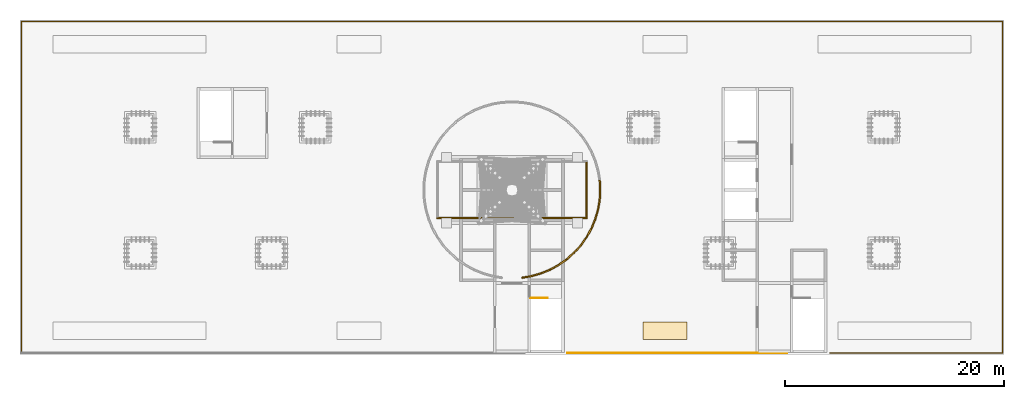
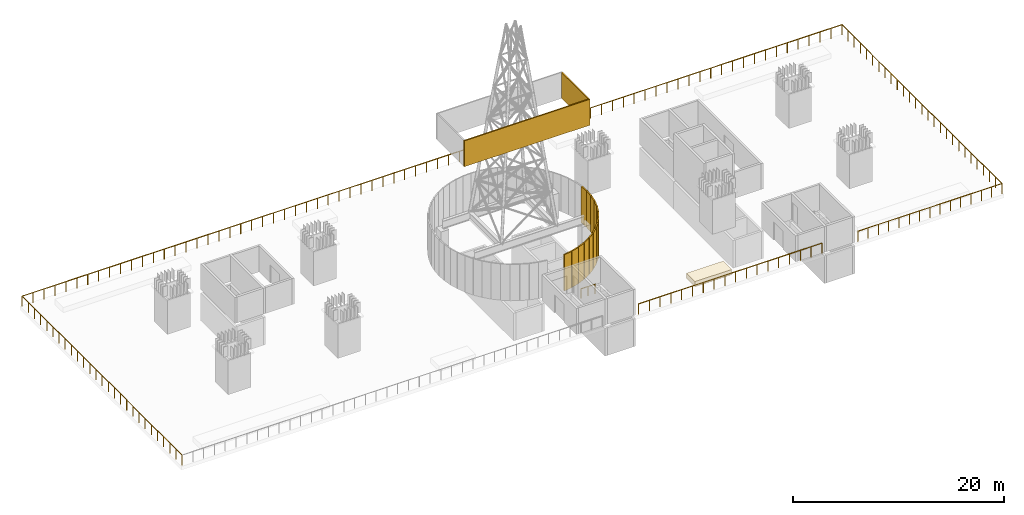
# One storey, part 7 of 8: 17 coverings, 3 railings.
"""IFC4 building model written with IfcOpenShell, lengths in metres."""

from ifc_helpers import new_model, si_unit, direction, frame, origin, origin_2d, place, context, subcontext, project, spatial, rectangle, circle, extrude, material, layer, layer_set, type_object, element, save


model = new_model("IFC4")

# Units and contexts
model_context = context("Model", 3, precision=1e-05, world=origin(), true_north=direction((0.0, 1.0)))
body_context = subcontext(model_context, "Body", "Model", "MODEL_VIEW")
ifc_project = project(units=[si_unit("LENGTHUNIT", "METRE"), si_unit("AREAUNIT", "SQUARE_METRE"), si_unit("VOLUMEUNIT", "CUBIC_METRE"), si_unit("PLANEANGLEUNIT", "RADIAN"), si_unit("MASSUNIT", "GRAM", prefix="KILO")], contexts=[model_context])

# Site, building, storey
site_placement = place(None, origin())
site = spatial("IfcSite", under=ifc_project, at=site_placement, CompositionType="ELEMENT")
building_placement = place(site_placement, origin())
building = spatial("IfcBuilding", under=site, at=building_placement, Name="Mahtab Terrace Research Tower", CompositionType="ELEMENT")
storey_placement = place(building_placement, frame((0.0, 0.0, 289.699951171875)))
storey = spatial("IfcBuildingStorey", under=building, at=storey_placement, Name="L70", CompositionType="ELEMENT", Elevation=289.699951171875)

# Coverings
ifc_material_1 = material(Name="Natural anodised aluminium", Category="aluminium")
covering_type_1 = type_object("IfcCoveringType", Name="Plant storey louvre bay", PredefinedType="CLADDING", material=ifc_material_1)
covering_1_placement = place(storey_placement, frame((0.0, 3.193115234375, 13.800048828125), z_axis=(0.0, 0.0, 1.0), x_axis=(1.0, 0.0, 0.0)))
element("IfcCovering", 1, at=covering_1_placement, inside=storey, type_object=covering_type_1, Name="Finial lantern louvre S", PredefinedType="CLADDING", context=body_context, shape_type="SweptSolid", body=[
    extrude(rectangle(XDim=13.76806640625, YDim=0.139892578125, at=origin_2d()), origin(), (0.0, 0.0, 1.0), 3.0),
])
covering_2_placement = place(storey_placement, frame((6.81396484375, 5.785888671875, 13.800048828125), z_axis=(0.0, 0.0, 1.0), x_axis=(1.0, 0.0, 0.0)))
element("IfcCovering", 2, at=covering_2_placement, inside=storey, type_object=covering_type_1, Name="Finial lantern louvre E", PredefinedType="CLADDING", context=body_context, shape_type="SweptSolid", body=[
    extrude(rectangle(XDim=0.139892578125, YDim=5.0458984375, at=origin_2d()), origin(), (0.0, 0.0, 1.0), 3.0),
])
covering_3_placement = place(storey_placement, frame((1.349853515625, -2.193603515625, 0.0), z_axis=(0.0, 0.0, 1.0), x_axis=(0.985722886778, 0.168375741964, 0.0)))
element("IfcCovering", 3, at=covering_3_placement, inside=storey, type_object=covering_type_1, Name="Plant drum louvre 43", PredefinedType="CLADDING", context=body_context, shape_type="SweptSolid", body=[
    extrude(rectangle(XDim=0.896728515625, YDim=0.139892578125, at=origin_2d()), origin(), (0.0, 0.0, 1.0), 4.199951171875),
])
covering_4_placement = place(storey_placement, frame((2.23046875, -1.9921875, 0.0), z_axis=(0.0, 0.0, 1.0), x_axis=(0.961017477545, 0.276487626945, 0.0)))
element("IfcCovering", 4, at=covering_4_placement, inside=storey, type_object=covering_type_1, Name="Plant drum louvre 44", PredefinedType="CLADDING", context=body_context, shape_type="SweptSolid", body=[
    extrude(rectangle(XDim=0.89697265625, YDim=0.139892578125, at=origin_2d()), origin(), (0.0, 0.0, 1.0), 4.199951171875),
])
covering_5_placement = place(storey_placement, frame((3.083251953125, -1.694091796875, 0.0), z_axis=(0.0, 0.0, 1.0), x_axis=(0.92403041112, 0.38231897589, 0.0)))
element("IfcCovering", 5, at=covering_5_placement, inside=storey, type_object=covering_type_1, Name="Plant drum louvre 45", PredefinedType="CLADDING", context=body_context, shape_type="SweptSolid", body=[
    extrude(rectangle(XDim=0.897216796875, YDim=0.139892578125, at=origin_2d()), origin(), (0.0, 0.0, 1.0), 4.199951171875),
])
covering_6_placement = place(storey_placement, frame((3.8974609375, -1.30224609375, 0.0), z_axis=(0.0, 0.0, 1.0), x_axis=(0.875154581007, 0.483843424408, 0.0)))
element("IfcCovering", 6, at=covering_6_placement, inside=storey, type_object=covering_type_1, Name="Plant drum louvre 46", PredefinedType="CLADDING", context=body_context, shape_type="SweptSolid", body=[
    extrude(rectangle(XDim=0.89697265625, YDim=0.139892578125, at=origin_2d()), origin(), (0.0, 0.0, 1.0), 4.199951171875),
])
for number, where, z_axis, x_axis, name in (
    (7, (4.66259765625, -0.821533203125, 0.0), (0.0, 0.0, 1.0), (0.815761572022, 0.578388327694, 0.0), "Plant drum louvre 47"),
    (8, (5.369140625, -0.25830078125, 0.0), (0.0, 0.0, 1.0), (0.74556184383, 0.66643644635, 0.0), "Plant drum louvre 48"),
    (9, (6.00830078125, 0.380859375, 0.0), (0.0, 0.0, 1.0), (0.66643644635, 0.74556184383, 0.0), "Plant drum louvre 49"),
    (10, (6.571533203125, 1.08740234375, 0.0), (0.0, 0.0, 1.0), (0.578388327694, 0.815761572022, 0.0), "Plant drum louvre 50"),
):
    element("IfcCovering", number, at=place(storey_placement, frame(where, z_axis=z_axis, x_axis=x_axis)), inside=storey, type_object=covering_type_1, Name=name, PredefinedType="CLADDING", context=body_context, shape_type="SweptSolid", body=[
        extrude(rectangle(XDim=0.897216796875, YDim=0.139892578125, at=origin_2d()), origin(), (0.0, 0.0, 1.0), 4.199951171875),
    ])
covering_7_placement = place(storey_placement, frame((7.05224609375, 1.8525390625, 0.0), z_axis=(0.0, 0.0, 1.0), x_axis=(0.483843424408, 0.875154581007, 0.0)))
element("IfcCovering", 11, at=covering_7_placement, inside=storey, type_object=covering_type_1, Name="Plant drum louvre 51", PredefinedType="CLADDING", context=body_context, shape_type="SweptSolid", body=[
    extrude(rectangle(XDim=0.89697265625, YDim=0.139892578125, at=origin_2d()), origin(), (0.0, 0.0, 1.0), 4.199951171875),
])
covering_8_placement = place(storey_placement, frame((7.444091796875, 2.666748046875, 0.0), z_axis=(0.0, 0.0, 1.0), x_axis=(0.38231897589, 0.92403041112, 0.0)))
element("IfcCovering", 12, at=covering_8_placement, inside=storey, type_object=covering_type_1, Name="Plant drum louvre 52", PredefinedType="CLADDING", context=body_context, shape_type="SweptSolid", body=[
    extrude(rectangle(XDim=0.897216796875, YDim=0.139892578125, at=origin_2d()), origin(), (0.0, 0.0, 1.0), 4.199951171875),
])
covering_9_placement = place(storey_placement, frame((7.7421875, 3.51953125, 0.0), z_axis=(0.0, 0.0, 1.0), x_axis=(0.276487626945, 0.961017477545, 0.0)))
element("IfcCovering", 13, at=covering_9_placement, inside=storey, type_object=covering_type_1, Name="Plant drum louvre 53", PredefinedType="CLADDING", context=body_context, shape_type="SweptSolid", body=[
    extrude(rectangle(XDim=0.89697265625, YDim=0.139892578125, at=origin_2d()), origin(), (0.0, 0.0, 1.0), 4.199951171875),
])
covering_10_placement = place(storey_placement, frame((7.943603515625, 4.400146484375, 0.0), z_axis=(0.0, 0.0, 1.0), x_axis=(0.168375741964, 0.985722886778, 0.0)))
element("IfcCovering", 14, at=covering_10_placement, inside=storey, type_object=covering_type_1, Name="Plant drum louvre 54", PredefinedType="CLADDING", context=body_context, shape_type="SweptSolid", body=[
    extrude(rectangle(XDim=0.896728515625, YDim=0.139892578125, at=origin_2d()), origin(), (0.0, 0.0, 1.0), 4.199951171875),
])
for number, where, z_axis, x_axis, name in (
    (15, (8.044921875, 5.298095703125, 0.0), (0.0, 0.0, 1.0), (0.055716886596, 0.99844660776, 0.0), "Plant drum louvre 55"),
    (16, (8.044921875, 6.201904296875, 0.0), (0.0, 0.0, 1.0), (-0.055716886596, 0.99844660776, 0.0), "Plant drum louvre 56"),
):
    element("IfcCovering", number, at=place(storey_placement, frame(where, z_axis=z_axis, x_axis=x_axis)), inside=storey, type_object=covering_type_1, Name=name, PredefinedType="CLADDING", context=body_context, shape_type="SweptSolid", body=[
        extrude(rectangle(XDim=0.8974609375, YDim=0.139892578125, at=origin_2d()), origin(), (0.0, 0.0, 1.0), 4.199951171875),
    ])
ifc_material_2 = material(Name="Planting soil and shrubs")
ifc_layer = layer(ifc_material_2, 0.1201171875)
ifc_layer_set = layer_set([ifc_layer], Name="Planter")
covering_type_2 = type_object("IfcCoveringType", Name="Planter", PredefinedType="USERDEFINED", material=ifc_layer_set)
covering_11_placement = place(storey_placement, frame((14.0, -7.10693359375, 0.0), z_axis=(0.0, 0.0, 1.0), x_axis=(1.0, 0.0, 0.0)))
element("IfcCovering", 17, at=covering_11_placement, inside=storey, type_object=covering_type_2, Name="PLANTER roof strip", ObjectType="PLANTER", PredefinedType="USERDEFINED", context=body_context, shape_type="SweptSolid", body=[
    extrude(rectangle(XDim=4.0, YDim=1.60009765625, at=origin_2d()), origin(), (0.0, 0.0, 1.0), 0.60009765625),
])

# Railings
ifc_material_3 = material(Name="Stainless steel AISI 304", Category="steel")
railing_type_1 = type_object("IfcRailingType", Name="Stair guard 1100", PredefinedType="GUARDRAIL", material=ifc_material_3)
railing_1_placement = place(storey_placement, frame((1.699951171875, -4.125, 0.0)))
element("IfcRailing", 18, at=railing_1_placement, inside=storey, type_object=railing_type_1, Name="L70 ST2 top well guard 1", PredefinedType="GUARDRAIL", context=body_context, shape_type="SweptSolid", body=[
    extrude(circle(Radius=0.02392578125, at=origin_2d()), frame((0.0, 0.0, 1.076171875), z_axis=(1.0, 0.0, 0.0), x_axis=(0.0, 1.0, 0.0)), (0.0, 0.0, 1.0), 1.550048828125),
    extrude(circle(Radius=0.02099609375, at=origin_2d()), origin(), (0.0, 0.0, 1.0), 1.052001953125),
    extrude(circle(Radius=0.02099609375, at=origin_2d()), frame((0.77490234375, 0.0, 0.0)), (0.0, 0.0, 1.0), 1.052001953125),
    extrude(circle(Radius=0.02099609375, at=origin_2d()), frame((1.550048828125, 0.0, 0.0)), (0.0, 0.0, 1.0), 1.052001953125),
])
ifc_material_4 = material(Name="Black anodised aluminium", Category="aluminium")
railing_type_2 = type_object("IfcRailingType", Name="Terrace guard 1200", PredefinedType="GUARDRAIL", material=ifc_material_4)
railing_2_placement = place(storey_placement, frame((5.097900390625, -9.156982421875, 0.030029296875)))
element("IfcRailing", 19, at=railing_2_placement, inside=storey, type_object=railing_type_2, Name="Plateau edge guard 2", PredefinedType="GUARDRAIL", context=body_context, shape_type="SweptSolid", body=[
    extrude(circle(Radius=0.030029296875, at=origin_2d()), frame((0.0, 0.0, 1.169921875), z_axis=(1.0, 0.0, 0.0), x_axis=(0.0, 1.0, 0.0)), (0.0, 0.0, 1.0), 20.05419921875),
    extrude(circle(Radius=0.02490234375, at=origin_2d()), origin(), (0.0, 0.0, 1.0), 1.139892578125),
    extrude(circle(Radius=0.02490234375, at=origin_2d()), frame((1.1796875, 0.0, 0.0)), (0.0, 0.0, 1.0), 1.139892578125),
    extrude(circle(Radius=0.02490234375, at=origin_2d()), frame((2.359375, 0.0, 0.0)), (0.0, 0.0, 1.0), 1.139892578125),
    extrude(circle(Radius=0.02490234375, at=origin_2d()), frame((3.5390625, 0.0, 0.0)), (0.0, 0.0, 1.0), 1.139892578125),
    extrude(circle(Radius=0.02490234375, at=origin_2d()), frame((4.71875, 0.0, 0.0)), (0.0, 0.0, 1.0), 1.139892578125),
    extrude(circle(Radius=0.02490234375, at=origin_2d()), frame((5.898193359375, 0.0, 0.0)), (0.0, 0.0, 1.0), 1.139892578125),
    extrude(circle(Radius=0.02490234375, at=origin_2d()), frame((7.077880859375, 0.0, 0.0)), (0.0, 0.0, 1.0), 1.139892578125),
    extrude(circle(Radius=0.02490234375, at=origin_2d()), frame((8.257568359375, 0.0, 0.0)), (0.0, 0.0, 1.0), 1.139892578125),
    extrude(circle(Radius=0.02490234375, at=origin_2d()), frame((9.437255859375, 0.0, 0.0)), (0.0, 0.0, 1.0), 1.139892578125),
    extrude(circle(Radius=0.02490234375, at=origin_2d()), frame((10.616943359375, 0.0, 0.0)), (0.0, 0.0, 1.0), 1.139892578125),
    extrude(circle(Radius=0.02490234375, at=origin_2d()), frame((11.796630859375, 0.0, 0.0)), (0.0, 0.0, 1.0), 1.139892578125),
    extrude(circle(Radius=0.02490234375, at=origin_2d()), frame((12.976318359375, 0.0, 0.0)), (0.0, 0.0, 1.0), 1.139892578125),
    extrude(circle(Radius=0.02490234375, at=origin_2d()), frame((14.156005859375, 0.0, 0.0)), (0.0, 0.0, 1.0), 1.139892578125),
    extrude(circle(Radius=0.02490234375, at=origin_2d()), frame((15.33544921875, 0.0, 0.0)), (0.0, 0.0, 1.0), 1.139892578125),
    extrude(circle(Radius=0.02490234375, at=origin_2d()), frame((16.51513671875, 0.0, 0.0)), (0.0, 0.0, 1.0), 1.139892578125),
    extrude(circle(Radius=0.02490234375, at=origin_2d()), frame((17.69482421875, 0.0, 0.0)), (0.0, 0.0, 1.0), 1.139892578125),
    extrude(circle(Radius=0.02490234375, at=origin_2d()), frame((18.87451171875, 0.0, 0.0)), (0.0, 0.0, 1.0), 1.139892578125),
    extrude(circle(Radius=0.02490234375, at=origin_2d()), frame((20.05419921875, 0.0, 0.0)), (0.0, 0.0, 1.0), 1.139892578125),
])
railing_3_placement = place(storey_placement, frame((29.097900390625, -9.156982421875, 0.030029296875)))
element("IfcRailing", 20, at=railing_3_placement, inside=storey, type_object=railing_type_2, Name="Plateau edge guard 3", PredefinedType="GUARDRAIL", context=body_context, shape_type="SweptSolid", body=[
    extrude(circle(Radius=0.030029296875, at=origin_2d()), frame((0.0, 0.0, 1.169921875), z_axis=(1.0, 0.0, 0.0), x_axis=(0.0, 1.0, 0.0)), (0.0, 0.0, 1.0), 15.752197265625),
    extrude(circle(Radius=0.030029296875, at=origin_2d()), frame((15.752197265625, 0.0, 1.169921875), z_axis=(0.0, 1.0, 0.0), x_axis=(-1.0, 0.0, 0.0)), (0.0, 0.0, 1.0), 30.31396484375),
    extrude(circle(Radius=0.030029296875, at=origin_2d()), frame((15.752197265625, 30.31396484375, 1.169921875), z_axis=(-1.0, 0.0, 0.0), x_axis=(0.0, -1.0, 0.0)), (0.0, 0.0, 1.0), 89.7001953125),
    extrude(circle(Radius=0.030029296875, at=origin_2d()), frame((-73.947998046875, 30.31396484375, 1.169921875), z_axis=(0.0, -1.0, 0.0), x_axis=(1.0, 0.0, 0.0)), (0.0, 0.0, 1.0), 30.31396484375),
    extrude(circle(Radius=0.02490234375, at=origin_2d()), origin(), (0.0, 0.0, 1.0), 1.139892578125),
    extrude(circle(Radius=0.02490234375, at=origin_2d()), frame((1.125244140625, 0.0, 0.0)), (0.0, 0.0, 1.0), 1.139892578125),
    extrude(circle(Radius=0.02490234375, at=origin_2d()), frame((2.250244140625, 0.0, 0.0)), (0.0, 0.0, 1.0), 1.139892578125),
    extrude(circle(Radius=0.02490234375, at=origin_2d()), frame((3.37548828125, 0.0, 0.0)), (0.0, 0.0, 1.0), 1.139892578125),
    extrude(circle(Radius=0.02490234375, at=origin_2d()), frame((4.500732421875, 0.0, 0.0)), (0.0, 0.0, 1.0), 1.139892578125),
    extrude(circle(Radius=0.02490234375, at=origin_2d()), frame((5.625732421875, 0.0, 0.0)), (0.0, 0.0, 1.0), 1.139892578125),
    extrude(circle(Radius=0.02490234375, at=origin_2d()), frame((6.7509765625, 0.0, 0.0)), (0.0, 0.0, 1.0), 1.139892578125),
    extrude(circle(Radius=0.02490234375, at=origin_2d()), frame((7.8759765625, 0.0, 0.0)), (0.0, 0.0, 1.0), 1.139892578125),
    extrude(circle(Radius=0.02490234375, at=origin_2d()), frame((9.001220703125, 0.0, 0.0)), (0.0, 0.0, 1.0), 1.139892578125),
    extrude(circle(Radius=0.02490234375, at=origin_2d()), frame((10.12646484375, 0.0, 0.0)), (0.0, 0.0, 1.0), 1.139892578125),
    extrude(circle(Radius=0.02490234375, at=origin_2d()), frame((11.25146484375, 0.0, 0.0)), (0.0, 0.0, 1.0), 1.139892578125),
    extrude(circle(Radius=0.02490234375, at=origin_2d()), frame((12.376708984375, 0.0, 0.0)), (0.0, 0.0, 1.0), 1.139892578125),
    extrude(circle(Radius=0.02490234375, at=origin_2d()), frame((13.501953125, 0.0, 0.0)), (0.0, 0.0, 1.0), 1.139892578125),
    extrude(circle(Radius=0.02490234375, at=origin_2d()), frame((14.626953125, 0.0, 0.0)), (0.0, 0.0, 1.0), 1.139892578125),
    extrude(circle(Radius=0.02490234375, at=origin_2d()), frame((15.752197265625, 0.0, 0.0)), (0.0, 0.0, 1.0), 1.139892578125),
    extrude(circle(Radius=0.02490234375, at=origin_2d()), frame((15.752197265625, 1.166015625, 0.0)), (0.0, 0.0, 1.0), 1.139892578125),
    extrude(circle(Radius=0.02490234375, at=origin_2d()), frame((15.752197265625, 2.331787109375, 0.0)), (0.0, 0.0, 1.0), 1.139892578125),
    extrude(circle(Radius=0.02490234375, at=origin_2d()), frame((15.752197265625, 3.497802734375, 0.0)), (0.0, 0.0, 1.0), 1.139892578125),
    extrude(circle(Radius=0.02490234375, at=origin_2d()), frame((15.752197265625, 4.66357421875, 0.0)), (0.0, 0.0, 1.0), 1.139892578125),
    extrude(circle(Radius=0.02490234375, at=origin_2d()), frame((15.752197265625, 5.82958984375, 0.0)), (0.0, 0.0, 1.0), 1.139892578125),
    extrude(circle(Radius=0.02490234375, at=origin_2d()), frame((15.752197265625, 6.99560546875, 0.0)), (0.0, 0.0, 1.0), 1.139892578125),
    extrude(circle(Radius=0.02490234375, at=origin_2d()), frame((15.752197265625, 8.161376953125, 0.0)), (0.0, 0.0, 1.0), 1.139892578125),
    extrude(circle(Radius=0.02490234375, at=origin_2d()), frame((15.752197265625, 9.327392578125, 0.0)), (0.0, 0.0, 1.0), 1.139892578125),
    extrude(circle(Radius=0.02490234375, at=origin_2d()), frame((15.752197265625, 10.493408203125, 0.0)), (0.0, 0.0, 1.0), 1.139892578125),
    extrude(circle(Radius=0.02490234375, at=origin_2d()), frame((15.752197265625, 11.6591796875, 0.0)), (0.0, 0.0, 1.0), 1.139892578125),
    extrude(circle(Radius=0.02490234375, at=origin_2d()), frame((15.752197265625, 12.8251953125, 0.0)), (0.0, 0.0, 1.0), 1.139892578125),
    extrude(circle(Radius=0.02490234375, at=origin_2d()), frame((15.752197265625, 13.990966796875, 0.0)), (0.0, 0.0, 1.0), 1.139892578125),
    extrude(circle(Radius=0.02490234375, at=origin_2d()), frame((15.752197265625, 15.156982421875, 0.0)), (0.0, 0.0, 1.0), 1.139892578125),
    extrude(circle(Radius=0.02490234375, at=origin_2d()), frame((15.752197265625, 16.322998046875, 0.0)), (0.0, 0.0, 1.0), 1.139892578125),
    extrude(circle(Radius=0.02490234375, at=origin_2d()), frame((15.752197265625, 17.48876953125, 0.0)), (0.0, 0.0, 1.0), 1.139892578125),
    extrude(circle(Radius=0.02490234375, at=origin_2d()), frame((15.752197265625, 18.65478515625, 0.0)), (0.0, 0.0, 1.0), 1.139892578125),
    extrude(circle(Radius=0.02490234375, at=origin_2d()), frame((15.752197265625, 19.820556640625, 0.0)), (0.0, 0.0, 1.0), 1.139892578125),
    extrude(circle(Radius=0.02490234375, at=origin_2d()), frame((15.752197265625, 20.986572265625, 0.0)), (0.0, 0.0, 1.0), 1.139892578125),
    extrude(circle(Radius=0.02490234375, at=origin_2d()), frame((15.752197265625, 22.152587890625, 0.0)), (0.0, 0.0, 1.0), 1.139892578125),
    extrude(circle(Radius=0.02490234375, at=origin_2d()), frame((15.752197265625, 23.318359375, 0.0)), (0.0, 0.0, 1.0), 1.139892578125),
    extrude(circle(Radius=0.02490234375, at=origin_2d()), frame((15.752197265625, 24.484375, 0.0)), (0.0, 0.0, 1.0), 1.139892578125),
    extrude(circle(Radius=0.02490234375, at=origin_2d()), frame((15.752197265625, 25.650390625, 0.0)), (0.0, 0.0, 1.0), 1.139892578125),
    extrude(circle(Radius=0.02490234375, at=origin_2d()), frame((15.752197265625, 26.816162109375, 0.0)), (0.0, 0.0, 1.0), 1.139892578125),
    extrude(circle(Radius=0.02490234375, at=origin_2d()), frame((15.752197265625, 27.982177734375, 0.0)), (0.0, 0.0, 1.0), 1.139892578125),
    extrude(circle(Radius=0.02490234375, at=origin_2d()), frame((15.752197265625, 29.14794921875, 0.0)), (0.0, 0.0, 1.0), 1.139892578125),
    extrude(circle(Radius=0.02490234375, at=origin_2d()), frame((15.752197265625, 30.31396484375, 0.0)), (0.0, 0.0, 1.0), 1.139892578125),
    extrude(circle(Radius=0.02490234375, at=origin_2d()), frame((14.55615234375, 30.31396484375, 0.0)), (0.0, 0.0, 1.0), 1.139892578125),
    extrude(circle(Radius=0.02490234375, at=origin_2d()), frame((13.360107421875, 30.31396484375, 0.0)), (0.0, 0.0, 1.0), 1.139892578125),
    extrude(circle(Radius=0.02490234375, at=origin_2d()), frame((12.164306640625, 30.31396484375, 0.0)), (0.0, 0.0, 1.0), 1.139892578125),
    extrude(circle(Radius=0.02490234375, at=origin_2d()), frame((10.96826171875, 30.31396484375, 0.0)), (0.0, 0.0, 1.0), 1.139892578125),
    extrude(circle(Radius=0.02490234375, at=origin_2d()), frame((9.772216796875, 30.31396484375, 0.0)), (0.0, 0.0, 1.0), 1.139892578125),
    extrude(circle(Radius=0.02490234375, at=origin_2d()), frame((8.576171875, 30.31396484375, 0.0)), (0.0, 0.0, 1.0), 1.139892578125),
    extrude(circle(Radius=0.02490234375, at=origin_2d()), frame((7.380126953125, 30.31396484375, 0.0)), (0.0, 0.0, 1.0), 1.139892578125),
    extrude(circle(Radius=0.02490234375, at=origin_2d()), frame((6.18408203125, 30.31396484375, 0.0)), (0.0, 0.0, 1.0), 1.139892578125),
    extrude(circle(Radius=0.02490234375, at=origin_2d()), frame((4.98828125, 30.31396484375, 0.0)), (0.0, 0.0, 1.0), 1.139892578125),
    extrude(circle(Radius=0.02490234375, at=origin_2d()), frame((3.792236328125, 30.31396484375, 0.0)), (0.0, 0.0, 1.0), 1.139892578125),
    extrude(circle(Radius=0.02490234375, at=origin_2d()), frame((2.59619140625, 30.31396484375, 0.0)), (0.0, 0.0, 1.0), 1.139892578125),
    extrude(circle(Radius=0.02490234375, at=origin_2d()), frame((1.400146484375, 30.31396484375, 0.0)), (0.0, 0.0, 1.0), 1.139892578125),
    extrude(circle(Radius=0.02490234375, at=origin_2d()), frame((0.2041015625, 30.31396484375, 0.0)), (0.0, 0.0, 1.0), 1.139892578125),
    extrude(circle(Radius=0.02490234375, at=origin_2d()), frame((-0.991943359375, 30.31396484375, 0.0)), (0.0, 0.0, 1.0), 1.139892578125),
    extrude(circle(Radius=0.02490234375, at=origin_2d()), frame((-2.187744140625, 30.31396484375, 0.0)), (0.0, 0.0, 1.0), 1.139892578125),
    extrude(circle(Radius=0.02490234375, at=origin_2d()), frame((-3.3837890625, 30.31396484375, 0.0)), (0.0, 0.0, 1.0), 1.139892578125),
    extrude(circle(Radius=0.02490234375, at=origin_2d()), frame((-4.579833984375, 30.31396484375, 0.0)), (0.0, 0.0, 1.0), 1.139892578125),
    extrude(circle(Radius=0.02490234375, at=origin_2d()), frame((-5.77587890625, 30.31396484375, 0.0)), (0.0, 0.0, 1.0), 1.139892578125),
    extrude(circle(Radius=0.02490234375, at=origin_2d()), frame((-6.971923828125, 30.31396484375, 0.0)), (0.0, 0.0, 1.0), 1.139892578125),
    extrude(circle(Radius=0.02490234375, at=origin_2d()), frame((-8.16796875, 30.31396484375, 0.0)), (0.0, 0.0, 1.0), 1.139892578125),
    extrude(circle(Radius=0.02490234375, at=origin_2d()), frame((-9.36376953125, 30.31396484375, 0.0)), (0.0, 0.0, 1.0), 1.139892578125),
    extrude(circle(Radius=0.02490234375, at=origin_2d()), frame((-10.559814453125, 30.31396484375, 0.0)), (0.0, 0.0, 1.0), 1.139892578125),
    extrude(circle(Radius=0.02490234375, at=origin_2d()), frame((-11.755859375, 30.31396484375, 0.0)), (0.0, 0.0, 1.0), 1.139892578125),
    extrude(circle(Radius=0.02490234375, at=origin_2d()), frame((-12.951904296875, 30.31396484375, 0.0)), (0.0, 0.0, 1.0), 1.139892578125),
    extrude(circle(Radius=0.02490234375, at=origin_2d()), frame((-14.14794921875, 30.31396484375, 0.0)), (0.0, 0.0, 1.0), 1.139892578125),
    extrude(circle(Radius=0.02490234375, at=origin_2d()), frame((-15.34375, 30.31396484375, 0.0)), (0.0, 0.0, 1.0), 1.139892578125),
    extrude(circle(Radius=0.02490234375, at=origin_2d()), frame((-16.539794921875, 30.31396484375, 0.0)), (0.0, 0.0, 1.0), 1.139892578125),
    extrude(circle(Radius=0.02490234375, at=origin_2d()), frame((-17.73583984375, 30.31396484375, 0.0)), (0.0, 0.0, 1.0), 1.139892578125),
    extrude(circle(Radius=0.02490234375, at=origin_2d()), frame((-18.931884765625, 30.31396484375, 0.0)), (0.0, 0.0, 1.0), 1.139892578125),
    extrude(circle(Radius=0.02490234375, at=origin_2d()), frame((-20.1279296875, 30.31396484375, 0.0)), (0.0, 0.0, 1.0), 1.139892578125),
    extrude(circle(Radius=0.02490234375, at=origin_2d()), frame((-21.323974609375, 30.31396484375, 0.0)), (0.0, 0.0, 1.0), 1.139892578125),
    extrude(circle(Radius=0.02490234375, at=origin_2d()), frame((-22.519775390625, 30.31396484375, 0.0)), (0.0, 0.0, 1.0), 1.139892578125),
    extrude(circle(Radius=0.02490234375, at=origin_2d()), frame((-23.7158203125, 30.31396484375, 0.0)), (0.0, 0.0, 1.0), 1.139892578125),
    extrude(circle(Radius=0.02490234375, at=origin_2d()), frame((-24.911865234375, 30.31396484375, 0.0)), (0.0, 0.0, 1.0), 1.139892578125),
    extrude(circle(Radius=0.02490234375, at=origin_2d()), frame((-26.10791015625, 30.31396484375, 0.0)), (0.0, 0.0, 1.0), 1.139892578125),
    extrude(circle(Radius=0.02490234375, at=origin_2d()), frame((-27.303955078125, 30.31396484375, 0.0)), (0.0, 0.0, 1.0), 1.139892578125),
    extrude(circle(Radius=0.02490234375, at=origin_2d()), frame((-28.5, 30.31396484375, 0.0)), (0.0, 0.0, 1.0), 1.139892578125),
    extrude(circle(Radius=0.02490234375, at=origin_2d()), frame((-29.69580078125, 30.31396484375, 0.0)), (0.0, 0.0, 1.0), 1.139892578125),
    extrude(circle(Radius=0.02490234375, at=origin_2d()), frame((-30.891845703125, 30.31396484375, 0.0)), (0.0, 0.0, 1.0), 1.139892578125),
    extrude(circle(Radius=0.02490234375, at=origin_2d()), frame((-32.087890625, 30.31396484375, 0.0)), (0.0, 0.0, 1.0), 1.139892578125),
    extrude(circle(Radius=0.02490234375, at=origin_2d()), frame((-33.283935546875, 30.31396484375, 0.0)), (0.0, 0.0, 1.0), 1.139892578125),
    extrude(circle(Radius=0.02490234375, at=origin_2d()), frame((-34.47998046875, 30.31396484375, 0.0)), (0.0, 0.0, 1.0), 1.139892578125),
    extrude(circle(Radius=0.02490234375, at=origin_2d()), frame((-35.676025390625, 30.31396484375, 0.0)), (0.0, 0.0, 1.0), 1.139892578125),
    extrude(circle(Radius=0.02490234375, at=origin_2d()), frame((-36.871826171875, 30.31396484375, 0.0)), (0.0, 0.0, 1.0), 1.139892578125),
    extrude(circle(Radius=0.02490234375, at=origin_2d()), frame((-38.06787109375, 30.31396484375, 0.0)), (0.0, 0.0, 1.0), 1.139892578125),
    extrude(circle(Radius=0.02490234375, at=origin_2d()), frame((-39.263916015625, 30.31396484375, 0.0)), (0.0, 0.0, 1.0), 1.139892578125),
    extrude(circle(Radius=0.02490234375, at=origin_2d()), frame((-40.4599609375, 30.31396484375, 0.0)), (0.0, 0.0, 1.0), 1.139892578125),
    extrude(circle(Radius=0.02490234375, at=origin_2d()), frame((-41.656005859375, 30.31396484375, 0.0)), (0.0, 0.0, 1.0), 1.139892578125),
    extrude(circle(Radius=0.02490234375, at=origin_2d()), frame((-42.85205078125, 30.31396484375, 0.0)), (0.0, 0.0, 1.0), 1.139892578125),
    extrude(circle(Radius=0.02490234375, at=origin_2d()), frame((-44.0478515625, 30.31396484375, 0.0)), (0.0, 0.0, 1.0), 1.139892578125),
    extrude(circle(Radius=0.02490234375, at=origin_2d()), frame((-45.243896484375, 30.31396484375, 0.0)), (0.0, 0.0, 1.0), 1.139892578125),
    extrude(circle(Radius=0.02490234375, at=origin_2d()), frame((-46.43994140625, 30.31396484375, 0.0)), (0.0, 0.0, 1.0), 1.139892578125),
    extrude(circle(Radius=0.02490234375, at=origin_2d()), frame((-47.635986328125, 30.31396484375, 0.0)), (0.0, 0.0, 1.0), 1.139892578125),
    extrude(circle(Radius=0.02490234375, at=origin_2d()), frame((-48.83203125, 30.31396484375, 0.0)), (0.0, 0.0, 1.0), 1.139892578125),
    extrude(circle(Radius=0.02490234375, at=origin_2d()), frame((-50.02783203125, 30.31396484375, 0.0)), (0.0, 0.0, 1.0), 1.139892578125),
    extrude(circle(Radius=0.02490234375, at=origin_2d()), frame((-51.223876953125, 30.31396484375, 0.0)), (0.0, 0.0, 1.0), 1.139892578125),
    extrude(circle(Radius=0.02490234375, at=origin_2d()), frame((-52.419921875, 30.31396484375, 0.0)), (0.0, 0.0, 1.0), 1.139892578125),
    extrude(circle(Radius=0.02490234375, at=origin_2d()), frame((-53.615966796875, 30.31396484375, 0.0)), (0.0, 0.0, 1.0), 1.139892578125),
    extrude(circle(Radius=0.02490234375, at=origin_2d()), frame((-54.81201171875, 30.31396484375, 0.0)), (0.0, 0.0, 1.0), 1.139892578125),
    extrude(circle(Radius=0.02490234375, at=origin_2d()), frame((-56.008056640625, 30.31396484375, 0.0)), (0.0, 0.0, 1.0), 1.139892578125),
    extrude(circle(Radius=0.02490234375, at=origin_2d()), frame((-57.203857421875, 30.31396484375, 0.0)), (0.0, 0.0, 1.0), 1.139892578125),
    extrude(circle(Radius=0.02490234375, at=origin_2d()), frame((-58.39990234375, 30.31396484375, 0.0)), (0.0, 0.0, 1.0), 1.139892578125),
    extrude(circle(Radius=0.02490234375, at=origin_2d()), frame((-59.595947265625, 30.31396484375, 0.0)), (0.0, 0.0, 1.0), 1.139892578125),
    extrude(circle(Radius=0.02490234375, at=origin_2d()), frame((-60.7919921875, 30.31396484375, 0.0)), (0.0, 0.0, 1.0), 1.139892578125),
    extrude(circle(Radius=0.02490234375, at=origin_2d()), frame((-61.988037109375, 30.31396484375, 0.0)), (0.0, 0.0, 1.0), 1.139892578125),
    extrude(circle(Radius=0.02490234375, at=origin_2d()), frame((-63.18408203125, 30.31396484375, 0.0)), (0.0, 0.0, 1.0), 1.139892578125),
    extrude(circle(Radius=0.02490234375, at=origin_2d()), frame((-64.3798828125, 30.31396484375, 0.0)), (0.0, 0.0, 1.0), 1.139892578125),
    extrude(circle(Radius=0.02490234375, at=origin_2d()), frame((-65.575927734375, 30.31396484375, 0.0)), (0.0, 0.0, 1.0), 1.139892578125),
    extrude(circle(Radius=0.02490234375, at=origin_2d()), frame((-66.77197265625, 30.31396484375, 0.0)), (0.0, 0.0, 1.0), 1.139892578125),
    extrude(circle(Radius=0.02490234375, at=origin_2d()), frame((-67.968017578125, 30.31396484375, 0.0)), (0.0, 0.0, 1.0), 1.139892578125),
    extrude(circle(Radius=0.02490234375, at=origin_2d()), frame((-69.1640625, 30.31396484375, 0.0)), (0.0, 0.0, 1.0), 1.139892578125),
    extrude(circle(Radius=0.02490234375, at=origin_2d()), frame((-70.360107421875, 30.31396484375, 0.0)), (0.0, 0.0, 1.0), 1.139892578125),
    extrude(circle(Radius=0.02490234375, at=origin_2d()), frame((-71.555908203125, 30.31396484375, 0.0)), (0.0, 0.0, 1.0), 1.139892578125),
    extrude(circle(Radius=0.02490234375, at=origin_2d()), frame((-72.751953125, 30.31396484375, 0.0)), (0.0, 0.0, 1.0), 1.139892578125),
    extrude(circle(Radius=0.02490234375, at=origin_2d()), frame((-73.947998046875, 30.31396484375, 0.0)), (0.0, 0.0, 1.0), 1.139892578125),
    extrude(circle(Radius=0.02490234375, at=origin_2d()), frame((-73.947998046875, 29.14794921875, 0.0)), (0.0, 0.0, 1.0), 1.139892578125),
    extrude(circle(Radius=0.02490234375, at=origin_2d()), frame((-73.947998046875, 27.982177734375, 0.0)), (0.0, 0.0, 1.0), 1.139892578125),
    extrude(circle(Radius=0.02490234375, at=origin_2d()), frame((-73.947998046875, 26.816162109375, 0.0)), (0.0, 0.0, 1.0), 1.139892578125),
    extrude(circle(Radius=0.02490234375, at=origin_2d()), frame((-73.947998046875, 25.650390625, 0.0)), (0.0, 0.0, 1.0), 1.139892578125),
    extrude(circle(Radius=0.02490234375, at=origin_2d()), frame((-73.947998046875, 24.484375, 0.0)), (0.0, 0.0, 1.0), 1.139892578125),
    extrude(circle(Radius=0.02490234375, at=origin_2d()), frame((-73.947998046875, 23.318359375, 0.0)), (0.0, 0.0, 1.0), 1.139892578125),
    extrude(circle(Radius=0.02490234375, at=origin_2d()), frame((-73.947998046875, 22.152587890625, 0.0)), (0.0, 0.0, 1.0), 1.139892578125),
    extrude(circle(Radius=0.02490234375, at=origin_2d()), frame((-73.947998046875, 20.986572265625, 0.0)), (0.0, 0.0, 1.0), 1.139892578125),
    extrude(circle(Radius=0.02490234375, at=origin_2d()), frame((-73.947998046875, 19.820556640625, 0.0)), (0.0, 0.0, 1.0), 1.139892578125),
    extrude(circle(Radius=0.02490234375, at=origin_2d()), frame((-73.947998046875, 18.65478515625, 0.0)), (0.0, 0.0, 1.0), 1.139892578125),
    extrude(circle(Radius=0.02490234375, at=origin_2d()), frame((-73.947998046875, 17.48876953125, 0.0)), (0.0, 0.0, 1.0), 1.139892578125),
    extrude(circle(Radius=0.02490234375, at=origin_2d()), frame((-73.947998046875, 16.322998046875, 0.0)), (0.0, 0.0, 1.0), 1.139892578125),
    extrude(circle(Radius=0.02490234375, at=origin_2d()), frame((-73.947998046875, 15.156982421875, 0.0)), (0.0, 0.0, 1.0), 1.139892578125),
    extrude(circle(Radius=0.02490234375, at=origin_2d()), frame((-73.947998046875, 13.990966796875, 0.0)), (0.0, 0.0, 1.0), 1.139892578125),
    extrude(circle(Radius=0.02490234375, at=origin_2d()), frame((-73.947998046875, 12.8251953125, 0.0)), (0.0, 0.0, 1.0), 1.139892578125),
    extrude(circle(Radius=0.02490234375, at=origin_2d()), frame((-73.947998046875, 11.6591796875, 0.0)), (0.0, 0.0, 1.0), 1.139892578125),
    extrude(circle(Radius=0.02490234375, at=origin_2d()), frame((-73.947998046875, 10.493408203125, 0.0)), (0.0, 0.0, 1.0), 1.139892578125),
    extrude(circle(Radius=0.02490234375, at=origin_2d()), frame((-73.947998046875, 9.327392578125, 0.0)), (0.0, 0.0, 1.0), 1.139892578125),
    extrude(circle(Radius=0.02490234375, at=origin_2d()), frame((-73.947998046875, 8.161376953125, 0.0)), (0.0, 0.0, 1.0), 1.139892578125),
    extrude(circle(Radius=0.02490234375, at=origin_2d()), frame((-73.947998046875, 6.99560546875, 0.0)), (0.0, 0.0, 1.0), 1.139892578125),
    extrude(circle(Radius=0.02490234375, at=origin_2d()), frame((-73.947998046875, 5.82958984375, 0.0)), (0.0, 0.0, 1.0), 1.139892578125),
    extrude(circle(Radius=0.02490234375, at=origin_2d()), frame((-73.947998046875, 4.66357421875, 0.0)), (0.0, 0.0, 1.0), 1.139892578125),
    extrude(circle(Radius=0.02490234375, at=origin_2d()), frame((-73.947998046875, 3.497802734375, 0.0)), (0.0, 0.0, 1.0), 1.139892578125),
    extrude(circle(Radius=0.02490234375, at=origin_2d()), frame((-73.947998046875, 2.331787109375, 0.0)), (0.0, 0.0, 1.0), 1.139892578125),
    extrude(circle(Radius=0.02490234375, at=origin_2d()), frame((-73.947998046875, 1.166015625, 0.0)), (0.0, 0.0, 1.0), 1.139892578125),
    extrude(circle(Radius=0.02490234375, at=origin_2d()), frame((-73.947998046875, 0.0, 0.0)), (0.0, 0.0, 1.0), 1.139892578125),
])

save(model, "model.ifc")
